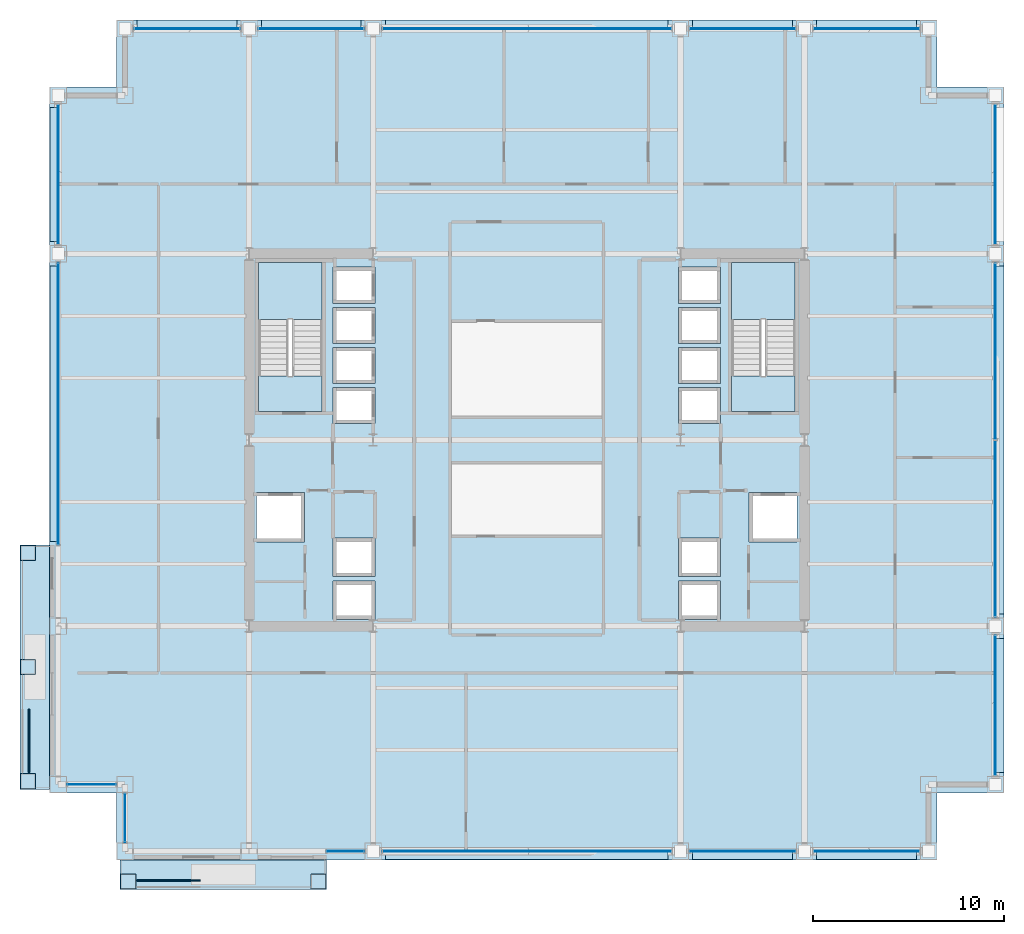
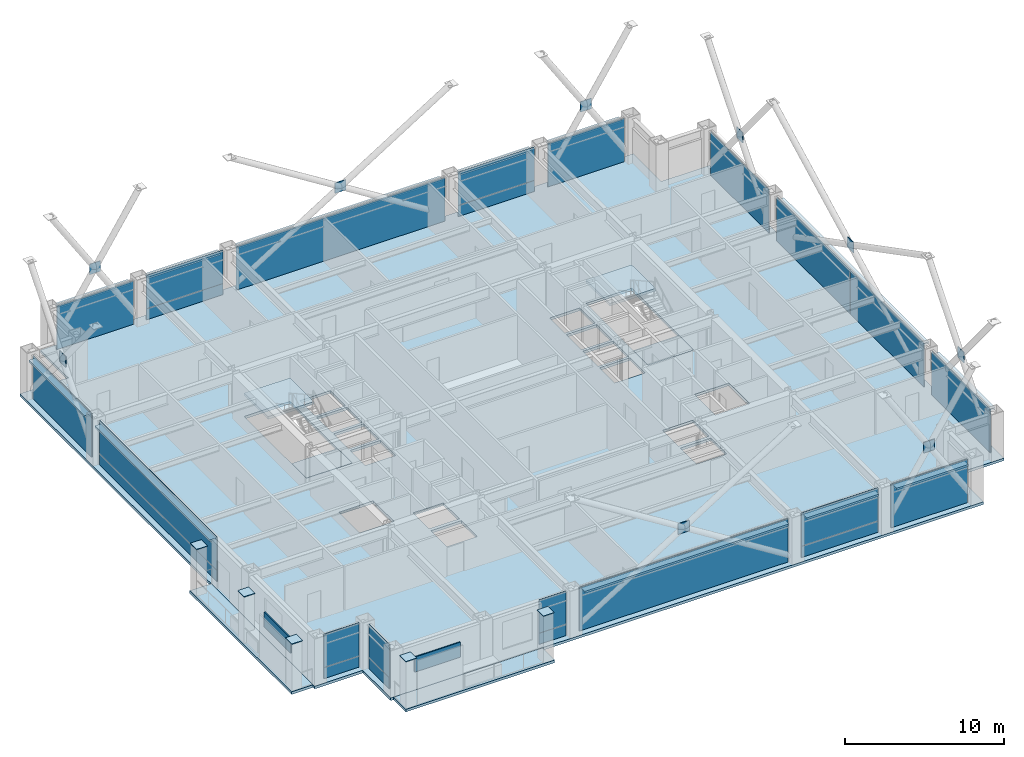
# One storey, part 23 of 29: 52 plates, 7 slabs, 18 elements without a shape of their own.
"""IFC4 building model written with IfcOpenShell, lengths in metres."""

from ifc_helpers import new_model, si_unit, direction, frame, origin, origin_2d, place, context, subcontext, project, spatial, polyline, rectangle, outline, extrude, material, layer, layer_set, type_object, element, aggregate, save


model = new_model("IFC4")

# Units and contexts
model_context = context("Model", 3, precision=1e-05, world=origin(), true_north=direction((0.0, 1.0)))
body_context = subcontext(model_context, "Body", "Model", "MODEL_VIEW")
ifc_project = project(units=[si_unit("LENGTHUNIT", "METRE"), si_unit("AREAUNIT", "SQUARE_METRE"), si_unit("VOLUMEUNIT", "CUBIC_METRE"), si_unit("PLANEANGLEUNIT", "RADIAN"), si_unit("MASSUNIT", "GRAM", prefix="KILO")], contexts=[model_context])

# Site, building, storey
site_placement = place(None, origin())
site = spatial("IfcSite", under=ifc_project, at=site_placement, CompositionType="ELEMENT")
building_placement = place(site_placement, origin())
building = spatial("IfcBuilding", under=site, at=building_placement, Name="Brelmoor Portico Tower", CompositionType="ELEMENT")
storey_placement = place(building_placement, frame((0.0, 0.0, 67.199951171875)))
storey = spatial("IfcBuildingStorey", under=building, at=storey_placement, Name="L17", CompositionType="ELEMENT", Elevation=67.199951171875)

# Plates
ifc_material_1 = material(Name="Steel Q355B", Category="steel")
ifc_layer_1 = layer(ifc_material_1, 0.044921875)
ifc_layer_set_1 = layer_set([ifc_layer_1], Name="Steel Q355B")
plate_type_1 = type_object("IfcPlateType", Name="PT-CAP-650", PredefinedType="SHEET", material=ifc_layer_set_1)
for number, where, z_axis, x_axis, name in (
    (1, (-26.1298828125, -17.8798828125, 3.60009765625), (0.0, 0.0, 1.0), (0.0, 1.0, 0.0), "L17 Proud Picture-Frame Pier PFJ-W1 Welded Head Cap Plate"),
    (2, (-26.1298828125, -5.919921875, 3.60009765625), (0.0, 0.0, 1.0), (0.0, 1.0, 0.0), "L17 Proud Picture-Frame Pier PFJ-W2 Welded Head Cap Plate"),
    (3, (-26.1298828125, -11.89990234375, 3.60009765625), (0.0, 0.0, 1.0), (0.0, 1.0, 0.0), "L17 Proud Picture-Frame Pier PFJ-W3 Welded Head Cap Plate"),
    (4, (-20.8798828125, -23.1298828125, 3.60009765625), (0.0, 0.0, 1.0), (1.0, 0.0, 0.0), "L17 Proud Picture-Frame Pier PFJ-S1 Welded Head Cap Plate"),
    (5, (-10.919921875, -23.1298828125, 3.60009765625), (0.0, 0.0, 1.0), (1.0, 0.0, 0.0), "L17 Proud Picture-Frame Pier PFJ-S2 Welded Head Cap Plate"),
):
    element("IfcPlate", number, at=place(storey_placement, frame(where, z_axis=z_axis, x_axis=x_axis)), inside=storey, type_object=plate_type_1, Name=name, PredefinedType="SHEET", context=body_context, shape_type="SweptSolid", body=[
        extrude(rectangle(XDim=0.7900390625, YDim=0.7900390625, at=origin_2d()), origin(), (0.0, 0.0, 1.0), 0.0400390625),
    ])

# Curtain wall, plate
ifc_material_2 = material(Name="Anodised Aluminium Alloy 6063-T6", Category="aluminium")
ifc_layer_2 = layer(ifc_material_2, 0.179931640625)
ifc_layer_set_2 = layer_set([ifc_layer_2], Name="Anodised Aluminium Alloy 6063-T6")
curtain_wall_type_1 = type_object("IfcCurtainWallType", Name="CW-TOWER-Z1", PredefinedType="NOTDEFINED", material=ifc_layer_set_2)
curtain_wall_1_placement = place(storey_placement, origin())
curtain_wall_1 = element("IfcCurtainWall", 6, at=curtain_wall_1_placement, inside=storey, type_object=curtain_wall_type_1, Name="L17 Curtain Wall CW-L17-1R-1", PredefinedType="NOTDEFINED")
ifc_material_3 = material(Name="Double-Silver Low-E Insulated Glazing", Category="glass")
ifc_layer_3 = layer(ifc_material_3, 0.035888671875)
ifc_layer_set_3 = layer_set([ifc_layer_3], Name="Double-Silver Low-E Insulated Glazing")
plate_type_2 = type_object("IfcPlateType", Name="PT-CW-GLASS", PredefinedType="CURTAIN_PANEL", material=ifc_layer_set_3)
plate_1_placement = place(storey_placement, frame((-9.5048828125, -21.550048828125, 0.85009765625), z_axis=(0.0, 0.0, 1.0), x_axis=(1.0, 0.0, 0.0)))
plate_1 = element("IfcPlate", 7, at=plate_1_placement, type_object=plate_type_2, Name="CW-L17-1R-1 Vision Glass Panel 00", PredefinedType="CURTAIN_PANEL", context=body_context, shape_type="SweptSolid", body=[
    extrude(rectangle(XDim=1.9599609375, YDim=0.035888671875, at=origin_2d()), origin(), (0.0, 0.0, 1.0), 2.550048828125),
])

curtain_wall_2_placement = place(storey_placement, origin())
curtain_wall_2 = element("IfcCurtainWall", 8, at=curtain_wall_2_placement, inside=storey, type_object=curtain_wall_type_1, Name="L17 Curtain Wall CW-L17-1R-3", PredefinedType="NOTDEFINED")
plate_2_placement = place(storey_placement, frame((11.300048828125, -21.550048828125, 0.85009765625), z_axis=(0.0, 0.0, 1.0), x_axis=(1.0, 0.0, 0.0)))
plate_2 = element("IfcPlate", 9, at=plate_2_placement, type_object=plate_type_2, Name="CW-L17-1R-3 Vision Glass Panel 00", PredefinedType="CURTAIN_PANEL", context=body_context, shape_type="SweptSolid", body=[
    extrude(rectangle(XDim=5.550048828125, YDim=0.035888671875, at=origin_2d()), origin(), (0.0, 0.0, 1.0), 2.550048828125),
])

curtain_wall_3_placement = place(storey_placement, origin())
curtain_wall_3 = element("IfcCurtainWall", 10, at=curtain_wall_3_placement, inside=storey, type_object=curtain_wall_type_1, Name="L17 Curtain Wall CW-L17-02-2", PredefinedType="NOTDEFINED")
plate_3_placement = place(storey_placement, frame((-11.300048828125, 21.550048828125, 0.85009765625), z_axis=(0.0, 0.0, 1.0), x_axis=(1.0, 0.0, 0.0)))
plate_3 = element("IfcPlate", 11, at=plate_3_placement, type_object=plate_type_2, Name="CW-L17-02-2 Vision Glass Panel 00", PredefinedType="CURTAIN_PANEL", context=body_context, shape_type="SweptSolid", body=[
    extrude(rectangle(XDim=5.550048828125, YDim=0.035888671875, at=origin_2d()), origin(), (0.0, 0.0, 1.0), 2.550048828125),
])

curtain_wall_4_placement = place(storey_placement, origin())
curtain_wall_4 = element("IfcCurtainWall", 12, at=curtain_wall_4_placement, inside=storey, type_object=curtain_wall_type_1, Name="L17 Curtain Wall CW-L17-02-4", PredefinedType="NOTDEFINED")
plate_4_placement = place(storey_placement, frame((11.300048828125, 21.550048828125, 0.85009765625), z_axis=(0.0, 0.0, 1.0), x_axis=(1.0, 0.0, 0.0)))
plate_4 = element("IfcPlate", 13, at=plate_4_placement, type_object=plate_type_2, Name="CW-L17-02-4 Vision Glass Panel 00", PredefinedType="CURTAIN_PANEL", context=body_context, shape_type="SweptSolid", body=[
    extrude(rectangle(XDim=5.550048828125, YDim=0.035888671875, at=origin_2d()), origin(), (0.0, 0.0, 1.0), 2.550048828125),
])

curtain_wall_5_placement = place(storey_placement, origin())
curtain_wall_5 = element("IfcCurtainWall", 14, at=curtain_wall_5_placement, inside=storey, type_object=curtain_wall_type_1, Name="L17 Curtain Wall CW-L17-3R-1", PredefinedType="NOTDEFINED")
plate_5_placement = place(storey_placement, frame((-24.550048828125, 1.89501953125, 0.85009765625), z_axis=(0.0, 0.0, 1.0), x_axis=(0.0, 1.0, 0.0)))
plate_5 = element("IfcPlate", 15, at=plate_5_placement, type_object=plate_type_2, Name="CW-L17-3R-1 Vision Glass Panel 00", PredefinedType="CURTAIN_PANEL", context=body_context, shape_type="SweptSolid", body=[
    extrude(rectangle(XDim=14.760009765625, YDim=0.035888671875, at=origin_2d()), origin(), (0.0, 0.0, 1.0), 2.550048828125),
])

ifc_layer_4 = layer(ifc_material_2, 0.179931640625)
ifc_layer_set_4 = layer_set([ifc_layer_4], Name="Anodised Aluminium Alloy 6063-T6")
curtain_wall_type_2 = type_object("IfcCurtainWallType", Name="CW-NOTCH-CHAMFER", PredefinedType="NOTDEFINED", material=ifc_layer_set_4)
curtain_wall_6_placement = place(storey_placement, origin())
curtain_wall_6 = element("IfcCurtainWall", 16, at=curtain_wall_6_placement, inside=storey, type_object=curtain_wall_type_2, Name="L17 Curtain Wall CWN-L17-SWH", PredefinedType="NOTDEFINED")
plate_6_placement = place(storey_placement, frame((-22.800048828125, -18.050048828125, 0.85009765625), z_axis=(0.0, 0.0, 1.0), x_axis=(1.0, 0.0, 0.0)))
plate_6 = element("IfcPlate", 17, at=plate_6_placement, type_object=plate_type_2, Name="CWN-L17-SWH Vision Glass Panel 00", PredefinedType="CURTAIN_PANEL", context=body_context, shape_type="SweptSolid", body=[
    extrude(rectangle(XDim=2.550048828125, YDim=0.035888671875, at=origin_2d()), origin(), (0.0, 0.0, 1.0), 2.550048828125),
])

curtain_wall_7_placement = place(storey_placement, origin())
curtain_wall_7 = element("IfcCurtainWall", 18, at=curtain_wall_7_placement, inside=storey, type_object=curtain_wall_type_2, Name="L17 Curtain Wall CWN-L17-SWV", PredefinedType="NOTDEFINED")
plate_7_placement = place(storey_placement, frame((-21.050048828125, -19.800048828125, 0.85009765625), z_axis=(0.0, 0.0, 1.0), x_axis=(0.0, 1.0, 0.0)))
plate_7 = element("IfcPlate", 19, at=plate_7_placement, type_object=plate_type_2, Name="CWN-L17-SWV Vision Glass Panel 00", PredefinedType="CURTAIN_PANEL", context=body_context, shape_type="SweptSolid", body=[
    extrude(rectangle(XDim=2.550048828125, YDim=0.035888671875, at=origin_2d()), origin(), (0.0, 0.0, 1.0), 2.550048828125),
])

# Plate
ifc_material_4 = material(Name="Pale Champagne Anodised Aluminium Panel", Category="aluminium")
ifc_layer_5 = layer(ifc_material_4, 0.050048828125)
ifc_layer_set_5 = layer_set([ifc_layer_5], Name="Pale Champagne Anodised Aluminium Panel")
plate_type_3 = type_object("IfcPlateType", Name="PT-CW-SPANDREL", PredefinedType="SHEET", material=ifc_layer_set_5)
plate_8_placement = place(storey_placement, frame((-9.5048828125, -21.550048828125, 0.0), z_axis=(0.0, 0.0, 1.0), x_axis=(1.0, 0.0, 0.0)))
plate_8 = element("IfcPlate", 20, at=plate_8_placement, type_object=plate_type_3, Name="CW-L17-1R-1 Spandrel Panel 00", PredefinedType="SHEET", context=body_context, shape_type="SweptSolid", body=[
    extrude(rectangle(XDim=1.9599609375, YDim=0.050048828125, at=origin_2d()), origin(), (0.0, 0.0, 1.0), 0.85009765625),
])

aggregate(curtain_wall_1, [plate_8, plate_1])

# Curtain wall, plate
ifc_layer_6 = layer(ifc_material_2, 0.179931640625)
ifc_layer_set_6 = layer_set([ifc_layer_6], Name="Anodised Aluminium Alloy 6063-T6")
curtain_wall_type_3 = type_object("IfcCurtainWallType", Name="CW-TOWER-Z1-XB", PredefinedType="NOTDEFINED", material=ifc_layer_set_6)
curtain_wall_8_placement = place(storey_placement, origin())
curtain_wall_8 = element("IfcCurtainWall", 21, at=curtain_wall_8_placement, inside=storey, type_object=curtain_wall_type_3, Name="L17 Curtain Wall CW-L17-1R-2", PredefinedType="NOTDEFINED")
plate_9_placement = place(storey_placement, frame((0.0, -21.550048828125, 0.0), z_axis=(0.0, 0.0, 1.0), x_axis=(1.0, 0.0, 0.0)))
plate_9 = element("IfcPlate", 22, at=plate_9_placement, type_object=plate_type_3, Name="CW-L17-1R-2 Spandrel Panel 00", PredefinedType="SHEET", context=body_context, shape_type="SweptSolid", body=[
    extrude(rectangle(XDim=15.14990234375, YDim=0.050048828125, at=origin_2d()), origin(), (0.0, 0.0, 1.0), 3.330078125),
])
aggregate(curtain_wall_8, [plate_9])

# Plate
plate_10_placement = place(storey_placement, frame((11.300048828125, -21.550048828125, 0.0), z_axis=(0.0, 0.0, 1.0), x_axis=(1.0, 0.0, 0.0)))
plate_10 = element("IfcPlate", 23, at=plate_10_placement, type_object=plate_type_3, Name="CW-L17-1R-3 Spandrel Panel 00", PredefinedType="SHEET", context=body_context, shape_type="SweptSolid", body=[
    extrude(rectangle(XDim=5.550048828125, YDim=0.050048828125, at=origin_2d()), origin(), (0.0, 0.0, 1.0), 0.85009765625),
])

aggregate(curtain_wall_2, [plate_10, plate_2])

# Curtain wall, plate
curtain_wall_9_placement = place(storey_placement, origin())
curtain_wall_9 = element("IfcCurtainWall", 24, at=curtain_wall_9_placement, inside=storey, type_object=curtain_wall_type_3, Name="L17 Curtain Wall CW-L17-1R-4", PredefinedType="NOTDEFINED")
plate_11_placement = place(storey_placement, frame((17.800048828125, -21.550048828125, 0.0), z_axis=(0.0, 0.0, 1.0), x_axis=(1.0, 0.0, 0.0)))
plate_11 = element("IfcPlate", 25, at=plate_11_placement, type_object=plate_type_3, Name="CW-L17-1R-4 Spandrel Panel 00", PredefinedType="SHEET", context=body_context, shape_type="SweptSolid", body=[
    extrude(rectangle(XDim=5.550048828125, YDim=0.050048828125, at=origin_2d()), origin(), (0.0, 0.0, 1.0), 3.330078125),
])
aggregate(curtain_wall_9, [plate_11])

curtain_wall_10_placement = place(storey_placement, origin())
curtain_wall_10 = element("IfcCurtainWall", 26, at=curtain_wall_10_placement, inside=storey, type_object=curtain_wall_type_3, Name="L17 Curtain Wall CW-L17-02-1", PredefinedType="NOTDEFINED")
plate_12_placement = place(storey_placement, frame((-17.800048828125, 21.550048828125, 0.0), z_axis=(0.0, 0.0, 1.0), x_axis=(1.0, 0.0, 0.0)))
plate_12 = element("IfcPlate", 27, at=plate_12_placement, type_object=plate_type_3, Name="CW-L17-02-1 Spandrel Panel 00", PredefinedType="SHEET", context=body_context, shape_type="SweptSolid", body=[
    extrude(rectangle(XDim=5.550048828125, YDim=0.050048828125, at=origin_2d()), origin(), (0.0, 0.0, 1.0), 3.330078125),
])
aggregate(curtain_wall_10, [plate_12])

# Plate
plate_13_placement = place(storey_placement, frame((-11.300048828125, 21.550048828125, 0.0), z_axis=(0.0, 0.0, 1.0), x_axis=(1.0, 0.0, 0.0)))
plate_13 = element("IfcPlate", 28, at=plate_13_placement, type_object=plate_type_3, Name="CW-L17-02-2 Spandrel Panel 00", PredefinedType="SHEET", context=body_context, shape_type="SweptSolid", body=[
    extrude(rectangle(XDim=5.550048828125, YDim=0.050048828125, at=origin_2d()), origin(), (0.0, 0.0, 1.0), 0.85009765625),
])

aggregate(curtain_wall_3, [plate_13, plate_3])

# Curtain wall, plate
curtain_wall_11_placement = place(storey_placement, origin())
curtain_wall_11 = element("IfcCurtainWall", 29, at=curtain_wall_11_placement, inside=storey, type_object=curtain_wall_type_3, Name="L17 Curtain Wall CW-L17-02-3", PredefinedType="NOTDEFINED")
plate_14_placement = place(storey_placement, frame((0.0, 21.550048828125, 0.0), z_axis=(0.0, 0.0, 1.0), x_axis=(1.0, 0.0, 0.0)))
plate_14 = element("IfcPlate", 30, at=plate_14_placement, type_object=plate_type_3, Name="CW-L17-02-3 Spandrel Panel 00", PredefinedType="SHEET", context=body_context, shape_type="SweptSolid", body=[
    extrude(rectangle(XDim=15.14990234375, YDim=0.050048828125, at=origin_2d()), origin(), (0.0, 0.0, 1.0), 3.330078125),
])
aggregate(curtain_wall_11, [plate_14])

# Plate
plate_15_placement = place(storey_placement, frame((11.300048828125, 21.550048828125, 0.0), z_axis=(0.0, 0.0, 1.0), x_axis=(1.0, 0.0, 0.0)))
plate_15 = element("IfcPlate", 31, at=plate_15_placement, type_object=plate_type_3, Name="CW-L17-02-4 Spandrel Panel 00", PredefinedType="SHEET", context=body_context, shape_type="SweptSolid", body=[
    extrude(rectangle(XDim=5.550048828125, YDim=0.050048828125, at=origin_2d()), origin(), (0.0, 0.0, 1.0), 0.85009765625),
])

aggregate(curtain_wall_4, [plate_15, plate_4])

# Curtain wall, plate
curtain_wall_12_placement = place(storey_placement, origin())
curtain_wall_12 = element("IfcCurtainWall", 32, at=curtain_wall_12_placement, inside=storey, type_object=curtain_wall_type_3, Name="L17 Curtain Wall CW-L17-02-5", PredefinedType="NOTDEFINED")
plate_16_placement = place(storey_placement, frame((17.800048828125, 21.550048828125, 0.0), z_axis=(0.0, 0.0, 1.0), x_axis=(1.0, 0.0, 0.0)))
plate_16 = element("IfcPlate", 33, at=plate_16_placement, type_object=plate_type_3, Name="CW-L17-02-5 Spandrel Panel 00", PredefinedType="SHEET", context=body_context, shape_type="SweptSolid", body=[
    extrude(rectangle(XDim=5.550048828125, YDim=0.050048828125, at=origin_2d()), origin(), (0.0, 0.0, 1.0), 3.330078125),
])
aggregate(curtain_wall_12, [plate_16])

# Plate
plate_17_placement = place(storey_placement, frame((-24.550048828125, 1.89501953125, 0.0), z_axis=(0.0, 0.0, 1.0), x_axis=(0.0, 1.0, 0.0)))
plate_17 = element("IfcPlate", 34, at=plate_17_placement, type_object=plate_type_3, Name="CW-L17-3R-1 Spandrel Panel 00", PredefinedType="SHEET", context=body_context, shape_type="SweptSolid", body=[
    extrude(rectangle(XDim=14.760009765625, YDim=0.050048828125, at=origin_2d()), origin(), (0.0, 0.0, 1.0), 0.85009765625),
])

aggregate(curtain_wall_5, [plate_17, plate_5])

# Curtain wall, plate
curtain_wall_13_placement = place(storey_placement, origin())
curtain_wall_13 = element("IfcCurtainWall", 35, at=curtain_wall_13_placement, inside=storey, type_object=curtain_wall_type_3, Name="L17 Curtain Wall CW-L17-3R-2", PredefinedType="NOTDEFINED")
plate_18_placement = place(storey_placement, frame((-24.550048828125, 13.89990234375, 0.0), z_axis=(0.0, 0.0, 1.0), x_axis=(0.0, 1.0, 0.0)))
plate_18 = element("IfcPlate", 36, at=plate_18_placement, type_object=plate_type_3, Name="CW-L17-3R-2 Spandrel Panel 00", PredefinedType="SHEET", context=body_context, shape_type="SweptSolid", body=[
    extrude(rectangle(XDim=7.35009765625, YDim=0.050048828125, at=origin_2d()), origin(), (0.0, 0.0, 1.0), 3.330078125),
])
aggregate(curtain_wall_13, [plate_18])

curtain_wall_14_placement = place(storey_placement, origin())
curtain_wall_14 = element("IfcCurtainWall", 37, at=curtain_wall_14_placement, inside=storey, type_object=curtain_wall_type_3, Name="L17 Curtain Wall CW-L17-04-1", PredefinedType="NOTDEFINED")
plate_19_placement = place(storey_placement, frame((24.550048828125, -13.89990234375, 0.0), z_axis=(0.0, 0.0, 1.0), x_axis=(0.0, 1.0, 0.0)))
plate_19 = element("IfcPlate", 38, at=plate_19_placement, type_object=plate_type_3, Name="CW-L17-04-1 Spandrel Panel 00", PredefinedType="SHEET", context=body_context, shape_type="SweptSolid", body=[
    extrude(rectangle(XDim=7.35009765625, YDim=0.050048828125, at=origin_2d()), origin(), (0.0, 0.0, 1.0), 3.330078125),
])
aggregate(curtain_wall_14, [plate_19])

# Curtain wall, plates
curtain_wall_15_placement = place(storey_placement, origin())
curtain_wall_15 = element("IfcCurtainWall", 39, at=curtain_wall_15_placement, inside=storey, type_object=curtain_wall_type_3, Name="L17 Curtain Wall CW-L17-04-2", PredefinedType="NOTDEFINED")
plate_20_placement = place(storey_placement, frame((24.550048828125, -4.64501953125, 0.0), z_axis=(0.0, 0.0, 1.0), x_axis=(0.0, 1.0, 0.0)))
plate_20 = element("IfcPlate", 40, at=plate_20_placement, type_object=plate_type_3, Name="CW-L17-04-2 Spandrel Panel 00", PredefinedType="SHEET", context=body_context, shape_type="SweptSolid", body=[
    extrude(rectangle(XDim=9.260009765625, YDim=0.050048828125, at=origin_2d()), origin(), (0.0, 0.0, 1.0), 3.330078125),
])
plate_21_placement = place(storey_placement, frame((24.550048828125, 4.64501953125, 0.0), z_axis=(0.0, 0.0, 1.0), x_axis=(0.0, 1.0, 0.0)))
plate_21 = element("IfcPlate", 41, at=plate_21_placement, type_object=plate_type_3, Name="CW-L17-04-2 Spandrel Panel 01", PredefinedType="SHEET", context=body_context, shape_type="SweptSolid", body=[
    extrude(rectangle(XDim=9.260009765625, YDim=0.050048828125, at=origin_2d()), origin(), (0.0, 0.0, 1.0), 3.330078125),
])
aggregate(curtain_wall_15, [plate_20, plate_21])

# Curtain wall, plate
curtain_wall_16_placement = place(storey_placement, origin())
curtain_wall_16 = element("IfcCurtainWall", 42, at=curtain_wall_16_placement, inside=storey, type_object=curtain_wall_type_3, Name="L17 Curtain Wall CW-L17-04-3", PredefinedType="NOTDEFINED")
plate_22_placement = place(storey_placement, frame((24.550048828125, 13.89990234375, 0.0), z_axis=(0.0, 0.0, 1.0), x_axis=(0.0, 1.0, 0.0)))
plate_22 = element("IfcPlate", 43, at=plate_22_placement, type_object=plate_type_3, Name="CW-L17-04-3 Spandrel Panel 00", PredefinedType="SHEET", context=body_context, shape_type="SweptSolid", body=[
    extrude(rectangle(XDim=7.35009765625, YDim=0.050048828125, at=origin_2d()), origin(), (0.0, 0.0, 1.0), 3.330078125),
])
aggregate(curtain_wall_16, [plate_22])

# Plate
plate_23_placement = place(storey_placement, frame((-22.800048828125, -18.050048828125, 0.0), z_axis=(0.0, 0.0, 1.0), x_axis=(1.0, 0.0, 0.0)))
plate_23 = element("IfcPlate", 44, at=plate_23_placement, type_object=plate_type_3, Name="CWN-L17-SWH Spandrel Panel 00", PredefinedType="SHEET", context=body_context, shape_type="SweptSolid", body=[
    extrude(rectangle(XDim=2.550048828125, YDim=0.050048828125, at=origin_2d()), origin(), (0.0, 0.0, 1.0), 0.85009765625),
])

aggregate(curtain_wall_6, [plate_23, plate_6])

plate_24_placement = place(storey_placement, frame((-21.050048828125, -19.800048828125, 0.0), z_axis=(0.0, 0.0, 1.0), x_axis=(0.0, 1.0, 0.0)))
plate_24 = element("IfcPlate", 45, at=plate_24_placement, type_object=plate_type_3, Name="CWN-L17-SWV Spandrel Panel 00", PredefinedType="SHEET", context=body_context, shape_type="SweptSolid", body=[
    extrude(rectangle(XDim=2.550048828125, YDim=0.050048828125, at=origin_2d()), origin(), (0.0, 0.0, 1.0), 0.85009765625),
])

aggregate(curtain_wall_7, [plate_24, plate_7])

# Plates
ifc_layer_7 = layer(ifc_material_1, 0.050048828125)
ifc_layer_set_7 = layer_set([ifc_layer_7], Name="Steel Q355B")
plate_type_4 = type_object("IfcPlateType", Name="PT-GUSSET-800", PredefinedType="USERDEFINED", material=ifc_layer_set_7)
for number, where, z_axis, x_axis, name in (
    (46, (0.0, -21.550048828125, 4.89990234375), (0.0, 0.0, 1.0), (1.0, 0.0, 0.0), "L17 Perimeter Mega-Brace Gusset 034"),
    (47, (17.800048828125, -21.550048828125, 4.89990234375), (0.0, 0.0, 1.0), (1.0, 0.0, 0.0), "L17 Perimeter Mega-Brace Gusset 035"),
    (48, (-17.800048828125, 21.550048828125, 4.89990234375), (0.0, 0.0, 1.0), (1.0, 0.0, 0.0), "L17 Perimeter Mega-Brace Gusset 036"),
    (49, (0.0, 21.550048828125, 4.89990234375), (0.0, 0.0, 1.0), (1.0, 0.0, 0.0), "L17 Perimeter Mega-Brace Gusset 037"),
    (50, (17.800048828125, 21.550048828125, 4.89990234375), (0.0, 0.0, 1.0), (1.0, 0.0, 0.0), "L17 Perimeter Mega-Brace Gusset 038"),
):
    element("IfcPlate", number, at=place(storey_placement, frame(where, z_axis=z_axis, x_axis=x_axis)), inside=storey, type_object=plate_type_4, Name=name, ObjectType="GUSSET PLATE", PredefinedType="USERDEFINED", context=body_context, shape_type="SweptSolid", body=[
        extrude(rectangle(XDim=0.800048828125, YDim=0.050048828125, at=origin_2d()), origin(), (0.0, 0.0, 1.0), 0.800048828125),
    ])
for number, where, z_axis, x_axis, name in (
    (51, (-24.550048828125, 13.89990234375, 4.89990234375), (0.0, 0.0, 1.0), (1.0, 0.0, 0.0), "L17 Perimeter Mega-Brace Gusset 039"),
    (52, (24.550048828125, -13.89990234375, 4.89990234375), (0.0, 0.0, 1.0), (1.0, 0.0, 0.0), "L17 Perimeter Mega-Brace Gusset 040"),
    (53, (24.550048828125, 0.0, 4.89990234375), (0.0, 0.0, 1.0), (1.0, 0.0, 0.0), "L17 Perimeter Mega-Brace Gusset 041"),
    (54, (24.550048828125, 13.89990234375, 4.89990234375), (0.0, 0.0, 1.0), (1.0, 0.0, 0.0), "L17 Perimeter Mega-Brace Gusset 042"),
):
    element("IfcPlate", number, at=place(storey_placement, frame(where, z_axis=z_axis, x_axis=x_axis)), inside=storey, type_object=plate_type_4, Name=name, ObjectType="GUSSET PLATE", PredefinedType="USERDEFINED", context=body_context, shape_type="SweptSolid", body=[
        extrude(rectangle(XDim=0.050048828125, YDim=0.800048828125, at=origin_2d()), origin(), (0.0, 0.0, 1.0), 0.800048828125),
    ])
ifc_material_5 = material(Name="Powder-Coated Aluminium Shuttered Jalousie Louvre", Category="aluminium")
ifc_layer_8 = layer(ifc_material_5, 0.06005859375)
ifc_layer_set_8 = layer_set([ifc_layer_8], Name="Powder-Coated Aluminium Shuttered Jalousie Louvre")
plate_type_5 = type_object("IfcPlateType", Name="PT-JALOUSIE-SHUTTER", PredefinedType="SHEET", material=ifc_layer_set_8)
for number, where, z_axis, x_axis, name in (
    (55, (-18.75, -23.080078125, 2.275146484375), (0.0, 0.0, 1.0), (1.0, 0.0, 0.0), "L17 Shuttered Veranda Screen S"),
    (56, (-26.080078125, -15.75, 2.275146484375), (0.0, 0.0, 1.0), (0.0, 1.0, 0.0), "L17 Shuttered Veranda Screen W"),
):
    element("IfcPlate", number, at=place(storey_placement, frame(where, z_axis=z_axis, x_axis=x_axis)), inside=storey, type_object=plate_type_5, Name=name, PredefinedType="SHEET", context=body_context, shape_type="SweptSolid", body=[
        extrude(rectangle(XDim=3.300048828125, YDim=0.080078125, at=origin_2d()), origin(), (0.0, 0.0, 1.0), 1.14990234375),
    ])
ifc_material_6 = material(Name="Pale Champagne Perforated Aluminium Solar Screen", Category="aluminium")
ifc_layer_9 = layer(ifc_material_6, 0.054931640625)
ifc_layer_set_9 = layer_set([ifc_layer_9], Name="Pale Champagne Perforated Aluminium Solar Screen")
plate_type_6 = type_object("IfcPlateType", Name="PT-SOLAR-LOUVRE", PredefinedType="SHEET", material=ifc_layer_set_9)
plate_25_placement = place(storey_placement, frame((0.0, -21.760009765625, 3.09033203125), z_axis=(0.0, 0.0, 1.0), x_axis=(1.0, 0.0, 0.0)))
element("IfcPlate", 57, at=plate_25_placement, inside=storey, type_object=plate_type_6, Name="CW-L17-1R-2 Caribbean Brise-Soleil Solar Screen", PredefinedType="SHEET", context=body_context, shape_type="SweptSolid", body=[
    extrude(rectangle(XDim=14.820068359375, YDim=0.4599609375, at=origin_2d()), origin(), (0.0, 0.0, 1.0), 0.139892578125),
])
for number, where, z_axis, x_axis, name in (
    (58, (11.300048828125, -21.760009765625, 3.09033203125), (0.0, 0.0, 1.0), (1.0, 0.0, 0.0), "CW-L17-1R-3 Caribbean Brise-Soleil Solar Screen"),
    (59, (17.800048828125, -21.760009765625, 3.09033203125), (0.0, 0.0, 1.0), (1.0, 0.0, 0.0), "CW-L17-1R-4 Caribbean Brise-Soleil Solar Screen"),
    (60, (-17.800048828125, 21.760009765625, 3.09033203125), (0.0, 0.0, 1.0), (1.0, 0.0, 0.0), "CW-L17-02-1 Caribbean Brise-Soleil Solar Screen"),
    (61, (-11.300048828125, 21.760009765625, 3.09033203125), (0.0, 0.0, 1.0), (1.0, 0.0, 0.0), "CW-L17-02-2 Caribbean Brise-Soleil Solar Screen"),
):
    element("IfcPlate", number, at=place(storey_placement, frame(where, z_axis=z_axis, x_axis=x_axis)), inside=storey, type_object=plate_type_6, Name=name, PredefinedType="SHEET", context=body_context, shape_type="SweptSolid", body=[
        extrude(rectangle(XDim=5.219970703125, YDim=0.4599609375, at=origin_2d()), origin(), (0.0, 0.0, 1.0), 0.139892578125),
    ])
plate_26_placement = place(storey_placement, frame((0.0, 21.760009765625, 3.09033203125), z_axis=(0.0, 0.0, 1.0), x_axis=(1.0, 0.0, 0.0)))
element("IfcPlate", 62, at=plate_26_placement, inside=storey, type_object=plate_type_6, Name="CW-L17-02-3 Caribbean Brise-Soleil Solar Screen", PredefinedType="SHEET", context=body_context, shape_type="SweptSolid", body=[
    extrude(rectangle(XDim=14.820068359375, YDim=0.4599609375, at=origin_2d()), origin(), (0.0, 0.0, 1.0), 0.139892578125),
])
for number, where, z_axis, x_axis, name in (
    (63, (11.300048828125, 21.760009765625, 3.09033203125), (0.0, 0.0, 1.0), (1.0, 0.0, 0.0), "CW-L17-02-4 Caribbean Brise-Soleil Solar Screen"),
    (64, (17.800048828125, 21.760009765625, 3.09033203125), (0.0, 0.0, 1.0), (1.0, 0.0, 0.0), "CW-L17-02-5 Caribbean Brise-Soleil Solar Screen"),
):
    element("IfcPlate", number, at=place(storey_placement, frame(where, z_axis=z_axis, x_axis=x_axis)), inside=storey, type_object=plate_type_6, Name=name, PredefinedType="SHEET", context=body_context, shape_type="SweptSolid", body=[
        extrude(rectangle(XDim=5.219970703125, YDim=0.4599609375, at=origin_2d()), origin(), (0.0, 0.0, 1.0), 0.139892578125),
    ])
plate_27_placement = place(storey_placement, frame((-24.760009765625, 1.89501953125, 3.09033203125), z_axis=(0.0, 0.0, 1.0), x_axis=(0.0, 1.0, 0.0)))
element("IfcPlate", 65, at=plate_27_placement, inside=storey, type_object=plate_type_6, Name="CW-L17-3R-1 Caribbean Brise-Soleil Solar Screen", PredefinedType="SHEET", context=body_context, shape_type="SweptSolid", body=[
    extrude(rectangle(XDim=14.429931640625, YDim=0.4599609375, at=origin_2d()), origin(), (0.0, 0.0, 1.0), 0.139892578125),
])
for number, where, z_axis, x_axis, name in (
    (66, (-24.760009765625, 13.89990234375, 3.09033203125), (0.0, 0.0, 1.0), (0.0, 1.0, 0.0), "CW-L17-3R-2 Caribbean Brise-Soleil Solar Screen"),
    (67, (24.760009765625, -13.89990234375, 3.09033203125), (0.0, 0.0, 1.0), (0.0, 1.0, 0.0), "CW-L17-04-1 Caribbean Brise-Soleil Solar Screen"),
):
    element("IfcPlate", number, at=place(storey_placement, frame(where, z_axis=z_axis, x_axis=x_axis)), inside=storey, type_object=plate_type_6, Name=name, PredefinedType="SHEET", context=body_context, shape_type="SweptSolid", body=[
        extrude(rectangle(XDim=7.02001953125, YDim=0.4599609375, at=origin_2d()), origin(), (0.0, 0.0, 1.0), 0.139892578125),
    ])
plate_28_placement = place(storey_placement, frame((24.760009765625, 0.0, 3.09033203125), z_axis=(0.0, 0.0, 1.0), x_axis=(0.0, 1.0, 0.0)))
element("IfcPlate", 68, at=plate_28_placement, inside=storey, type_object=plate_type_6, Name="CW-L17-04-2 Caribbean Brise-Soleil Solar Screen", PredefinedType="SHEET", context=body_context, shape_type="SweptSolid", body=[
    extrude(rectangle(XDim=18.219970703125, YDim=0.4599609375, at=origin_2d()), origin(), (0.0, 0.0, 1.0), 0.139892578125),
])

# Slabs
ifc_material_7 = material(Name="Concrete C40", Category="concrete")
ifc_layer_10 = layer(ifc_material_7, 0.199951171875)
ifc_layer_set_10 = layer_set([ifc_layer_10], Name="Concrete C40")
slab_type_1 = type_object("IfcSlabType", Name="SL-BALCONY-200", PredefinedType="FLOOR", material=ifc_layer_set_10)
slab_1_placement = place(storey_placement, frame((0.0, 0.0, -0.199951171875)))
element("IfcSlab", 69, at=slab_1_placement, inside=storey, type_object=slab_type_1, Name="L17 Loggia Tree Balcony Slab W", PredefinedType="FLOOR", context=body_context, shape_type="SweptSolid", body=[
    extrude(outline(polyline([(-26.550048828125, -18.300048828125), (-25.0, -18.300048828125), (-25.0, -5.5), (-26.550048828125, -5.5), (-26.550048828125, -18.300048828125)])), origin(), (0.0, 0.0, 1.0), 0.199951171875),
])
slab_2_placement = place(storey_placement, frame((0.0, 0.0, -0.199951171875)))
element("IfcSlab", 70, at=slab_2_placement, inside=storey, type_object=slab_type_1, Name="L17 Loggia Tree Balcony Slab S", PredefinedType="FLOOR", context=body_context, shape_type="SweptSolid", body=[
    extrude(outline(polyline([(-21.300048828125, -23.550048828125), (-10.5, -23.550048828125), (-10.5, -22.0), (-21.300048828125, -22.0), (-21.300048828125, -23.550048828125)])), origin(), (0.0, 0.0, 1.0), 0.199951171875),
])
ifc_layer_11 = layer(ifc_material_7, 0.199951171875)
ifc_layer_set_11 = layer_set([ifc_layer_11], Name="Concrete C40")
slab_type_2 = type_object("IfcSlabType", Name="SL-FLOOR-200", PredefinedType="FLOOR", material=ifc_layer_set_11)
slab_3_placement = place(storey_placement, frame((0.0, 0.0, -0.199951171875)))
element("IfcSlab", 71, at=slab_3_placement, inside=storey, type_object=slab_type_2, Name="L17 Main Structural Floor Slab", PredefinedType="FLOOR", context=body_context, shape_type="SweptSolid", body=[
    extrude(outline(polyline([(-21.5, -22.0), (21.5, -22.0), (21.5, -18.5), (25.0, -18.5), (25.0, 18.5), (21.5, 18.5), (21.5, 22.0), (-21.5, 22.0), (-21.5, 18.5), (-25.0, 18.5), (-25.0, -18.5), (-21.5, -18.5), (-21.5, -22.0)]), holes=[polyline([(-10.72998046875, 1.5), (-10.72998046875, 9.300048828125), (-14.050048828125, 9.300048828125), (-14.050048828125, 1.5), (-10.72998046875, 1.5)]), polyline([(14.050048828125, 1.5), (14.050048828125, 9.300048828125), (10.72998046875, 9.300048828125), (10.72998046875, 1.5), (14.050048828125, 1.5)]), polyline([(-10.14990234375, 0.85009765625), (-7.949951171875, 0.85009765625), (-7.949951171875, 2.75), (-10.14990234375, 2.75), (-10.14990234375, 0.85009765625)]), polyline([(-10.14990234375, 2.949951171875), (-7.949951171875, 2.949951171875), (-7.949951171875, 4.85009765625), (-10.14990234375, 4.85009765625), (-10.14990234375, 2.949951171875)]), polyline([(-10.14990234375, 5.050048828125), (-7.949951171875, 5.050048828125), (-7.949951171875, 6.949951171875), (-10.14990234375, 6.949951171875), (-10.14990234375, 5.050048828125)]), polyline([(-10.14990234375, 7.14990234375), (-7.949951171875, 7.14990234375), (-7.949951171875, 9.050048828125), (-10.14990234375, 9.050048828125), (-10.14990234375, 7.14990234375)]), polyline([(7.949951171875, 0.85009765625), (10.14990234375, 0.85009765625), (10.14990234375, 2.75), (7.949951171875, 2.75), (7.949951171875, 0.85009765625)]), polyline([(7.949951171875, 2.949951171875), (10.14990234375, 2.949951171875), (10.14990234375, 4.85009765625), (7.949951171875, 4.85009765625), (7.949951171875, 2.949951171875)]), polyline([(7.949951171875, 5.050048828125), (10.14990234375, 5.050048828125), (10.14990234375, 6.949951171875), (7.949951171875, 6.949951171875), (7.949951171875, 5.050048828125)]), polyline([(7.949951171875, 7.14990234375), (10.14990234375, 7.14990234375), (10.14990234375, 9.050048828125), (7.949951171875, 9.050048828125), (7.949951171875, 7.14990234375)]), polyline([(-10.14990234375, -9.39990234375), (-7.949951171875, -9.39990234375), (-7.949951171875, -7.39990234375), (-10.14990234375, -7.39990234375), (-10.14990234375, -9.39990234375)]), polyline([(-10.14990234375, -7.14990234375), (-7.949951171875, -7.14990234375), (-7.949951171875, -5.14990234375), (-10.14990234375, -5.14990234375), (-10.14990234375, -7.14990234375)]), polyline([(7.949951171875, -9.39990234375), (10.14990234375, -9.39990234375), (10.14990234375, -7.39990234375), (7.949951171875, -7.39990234375), (7.949951171875, -9.39990234375)]), polyline([(7.949951171875, -7.14990234375), (10.14990234375, -7.14990234375), (10.14990234375, -5.14990234375), (7.949951171875, -5.14990234375), (7.949951171875, -7.14990234375)]), polyline([(-14.14990234375, -5.35009765625), (-11.64990234375, -5.35009765625), (-11.64990234375, -2.75), (-14.14990234375, -2.75), (-14.14990234375, -5.35009765625)]), polyline([(11.64990234375, -5.35009765625), (14.14990234375, -5.35009765625), (14.14990234375, -2.75), (11.64990234375, -2.75), (11.64990234375, -5.35009765625)])]), origin(), (0.0, 0.0, 1.0), 0.199951171875),
])

# Stair, slab
stair_type_1 = type_object("IfcStairType", Name="ST-CORE-W", PredefinedType="HALF_TURN_STAIR", material=ifc_material_7)
stair_1_placement = place(storey_placement, origin())
stair_1 = element("IfcStair", 72, at=stair_1_placement, inside=storey, type_object=stair_type_1, Name="L17 Protected Core Exit Stair ST-W", PredefinedType="HALF_TURN_STAIR")
ifc_layer_12 = layer(ifc_material_7, 0.179931640625)
ifc_layer_set_12 = layer_set([ifc_layer_12], Name="Concrete C40")
slab_type_3 = type_object("IfcSlabType", Name="SL-LANDING-180", PredefinedType="LANDING", material=ifc_layer_set_12)
slab_4_placement = place(storey_placement, frame((0.0, 0.0, 1.60009765625)))
slab_4 = element("IfcSlab", 73, at=slab_4_placement, type_object=slab_type_3, Name="ST-W landing 1", PredefinedType="LANDING", context=body_context, shape_type="SweptSolid", body=[
    extrude(outline(polyline([(-10.72998046875, 6.300048828125), (-10.72998046875, 9.300048828125), (-14.050048828125, 9.300048828125), (-14.050048828125, 6.300048828125), (-10.72998046875, 6.300048828125)])), origin(), (0.0, 0.0, 1.0), 0.199951171875),
])
aggregate(stair_1, [slab_4])

stair_type_2 = type_object("IfcStairType", Name="ST-CORE-E", PredefinedType="HALF_TURN_STAIR", material=ifc_material_7)
stair_2_placement = place(storey_placement, origin())
stair_2 = element("IfcStair", 74, at=stair_2_placement, inside=storey, type_object=stair_type_2, Name="L17 Protected Core Exit Stair ST-E", PredefinedType="HALF_TURN_STAIR")
slab_5_placement = place(storey_placement, frame((0.0, 0.0, 1.60009765625)))
slab_5 = element("IfcSlab", 75, at=slab_5_placement, type_object=slab_type_3, Name="ST-E landing 1", PredefinedType="LANDING", context=body_context, shape_type="SweptSolid", body=[
    extrude(outline(polyline([(14.050048828125, 6.300048828125), (14.050048828125, 9.300048828125), (10.72998046875, 9.300048828125), (10.72998046875, 6.300048828125), (14.050048828125, 6.300048828125)])), origin(), (0.0, 0.0, 1.0), 0.199951171875),
])
aggregate(stair_2, [slab_5])

# Slabs
ifc_layer_13 = layer(ifc_material_7, 0.199951171875)
ifc_layer_set_13 = layer_set([ifc_layer_13], Name="Concrete C40")
slab_type_4 = type_object("IfcSlabType", Name="SL-STAIR-FL200", PredefinedType="LANDING", material=ifc_layer_set_13)
slab_6_placement = place(storey_placement, frame((0.0, 0.0, -0.199951171875)))
element("IfcSlab", 76, at=slab_6_placement, inside=storey, type_object=slab_type_4, Name="L17 ST-W Structural Floor Landing Slab", PredefinedType="LANDING", context=body_context, shape_type="SweptSolid", body=[
    extrude(outline(polyline([(-10.72998046875, 1.5), (-10.72998046875, 3.35009765625), (-14.050048828125, 3.35009765625), (-14.050048828125, 1.5), (-10.72998046875, 1.5)])), origin(), (0.0, 0.0, 1.0), 0.199951171875),
])
slab_7_placement = place(storey_placement, frame((0.0, 0.0, -0.199951171875)))
element("IfcSlab", 77, at=slab_7_placement, inside=storey, type_object=slab_type_4, Name="L17 ST-E Structural Floor Landing Slab", PredefinedType="LANDING", context=body_context, shape_type="SweptSolid", body=[
    extrude(outline(polyline([(14.050048828125, 1.5), (14.050048828125, 3.35009765625), (10.72998046875, 3.35009765625), (10.72998046875, 1.5), (14.050048828125, 1.5)])), origin(), (0.0, 0.0, 1.0), 0.199951171875),
])

save(model, "model.ifc")
